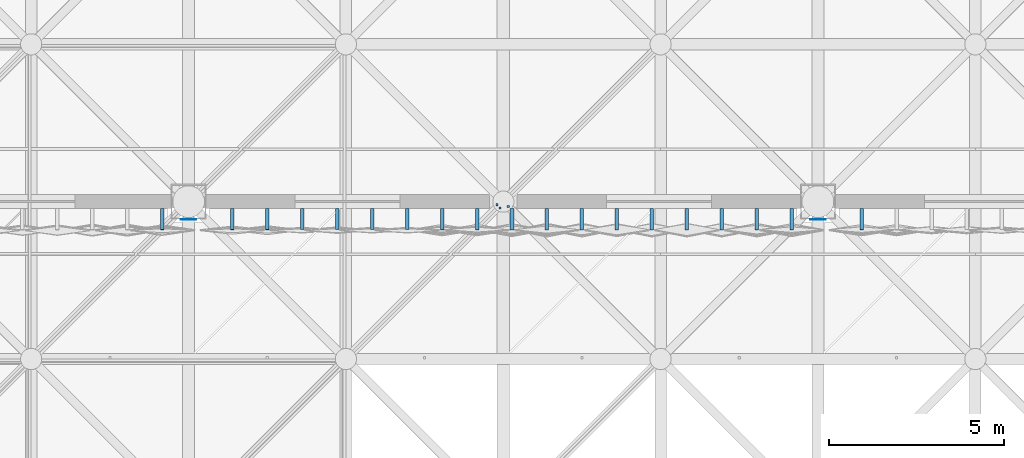
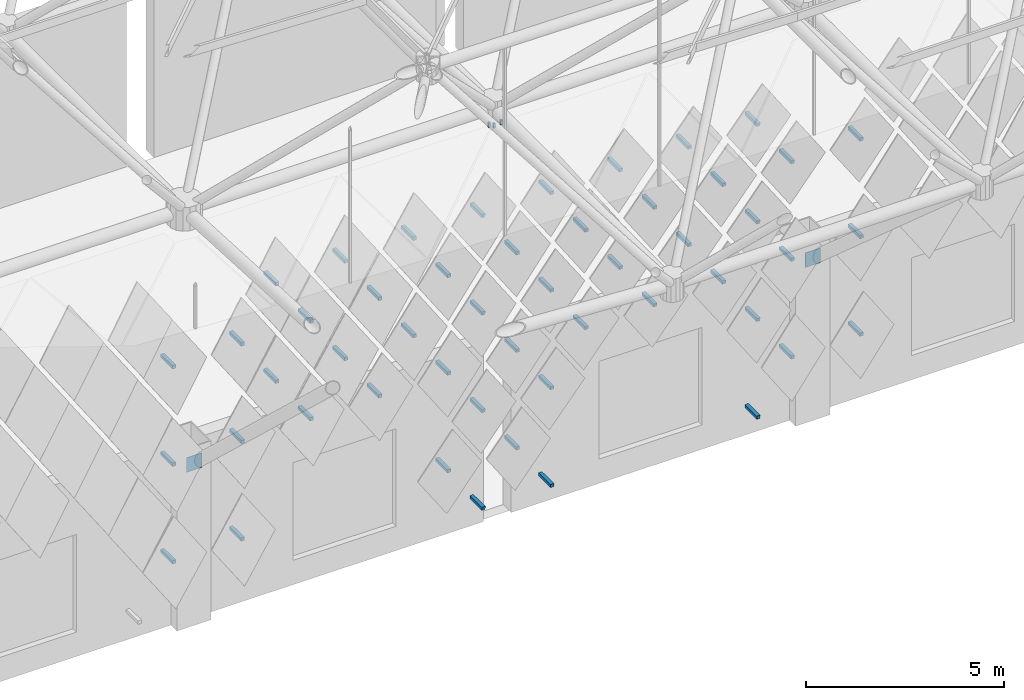
# One storey, part 364 of 437: 55 discrete accessories.
"""IFC4 building model written with IfcOpenShell, lengths in metres."""

from ifc_helpers import new_model, si_unit, direction, frame, origin, place, context, subcontext, project, spatial, polyline, outline, extrude, material, layer, layer_set, type_object, element, save


model = new_model("IFC4")

# Units and contexts
model_context = context("Model", 3, precision=1e-05, world=origin(), true_north=direction((0.0, 1.0)))
body_context = subcontext(model_context, "Body", "Model", "MODEL_VIEW")
ifc_project = project(units=[si_unit("LENGTHUNIT", "METRE"), si_unit("AREAUNIT", "SQUARE_METRE"), si_unit("VOLUMEUNIT", "CUBIC_METRE"), si_unit("PLANEANGLEUNIT", "RADIAN"), si_unit("MASSUNIT", "GRAM", prefix="KILO")], contexts=[model_context])

# Site, building, storey
site_placement = place(None, origin())
site = spatial("IfcSite", under=ifc_project, at=site_placement, CompositionType="ELEMENT")
building_placement = place(site_placement, origin())
building = spatial("IfcBuilding", under=site, at=building_placement, Name="Opaline Strait Convention Centre", CompositionType="ELEMENT")
storey_placement = place(building_placement, frame((0.0, 0.0, 11.5)))
storey = spatial("IfcBuildingStorey", under=building, at=storey_placement, Name="L02", CompositionType="ELEMENT", Elevation=11.5)

# Discrete accessories
ifc_material_1 = material(Name="Structural steel Q355B", Category="steel")
ifc_layer = layer(ifc_material_1, 0.01611328125)
ifc_layer_set = layer_set([ifc_layer], Name="Structural steel Q355B")
discrete_accessory_type_1 = type_object("IfcDiscreteAccessoryType", Name="Prop bearing plate 450 x 450 x 16", PredefinedType="ANCHORPLATE", material=ifc_layer_set)
discrete_accessory_1_placement = place(storey_placement, frame((0.0, 0.0, 4.7900390625)))
element("IfcDiscreteAccessory", 1, at=discrete_accessory_1_placement, inside=storey, type_object=discrete_accessory_type_1, Name="Prop bearing plate 135/54 S", PredefinedType="ANCHORPLATE", context=body_context, shape_type="SweptSolid", body=[
    extrude(outline(polyline([(134.77490234375, 53.48388671875), (135.22509765625, 53.48388671875), (135.22509765625, 53.5), (134.77490234375, 53.5), (134.77490234375, 53.48388671875)])), origin(), (0.0, 0.0, 1.0), 0.449951171875),
])
discrete_accessory_2_placement = place(storey_placement, frame((0.0, 0.0, 4.7890625)))
element("IfcDiscreteAccessory", 2, at=discrete_accessory_2_placement, inside=storey, type_object=discrete_accessory_type_1, Name="Prop bearing plate 153/54 S", PredefinedType="ANCHORPLATE", context=body_context, shape_type="SweptSolid", body=[
    extrude(outline(polyline([(152.77490234375, 53.48388671875), (153.22509765625, 53.48388671875), (153.22509765625, 53.5), (152.77490234375, 53.5), (152.77490234375, 53.48388671875)])), origin(), (0.0, 0.0, 1.0), 0.449951171875),
])
ifc_material_2 = material(Name="Steel Q355B", Category="steel")
discrete_accessory_type_2 = type_object("IfcDiscreteAccessoryType", Name="Soffit hanger 60x60 steel", PredefinedType="BRACKET", material=ifc_material_2)
discrete_accessory_3_placement = place(storey_placement, frame((0.0, 0.0, 11.9931640625)))
element("IfcDiscreteAccessory", 3, at=discrete_accessory_3_placement, inside=storey, type_object=discrete_accessory_type_2, Name="Soffit hanger", PredefinedType="BRACKET", context=body_context, shape_type="SweptSolid", body=[
    extrude(outline(polyline([(143.880859375, 53.791015625), (143.940673828125, 53.791015625), (143.940673828125, 53.85107421875), (143.880859375, 53.85107421875), (143.880859375, 53.791015625)])), origin(), (0.0, 0.0, 1.0), 0.146728515625),
])
discrete_accessory_4_placement = place(storey_placement, frame((0.0, 0.0, 11.9931640625)))
element("IfcDiscreteAccessory", 4, at=discrete_accessory_4_placement, inside=storey, type_object=discrete_accessory_type_2, Name="Soffit hanger", PredefinedType="BRACKET", context=body_context, shape_type="SweptSolid", body=[
    extrude(outline(polyline([(143.791015625, 53.880859375), (143.85107421875, 53.880859375), (143.85107421875, 53.940673828125), (143.791015625, 53.940673828125), (143.791015625, 53.880859375)])), origin(), (0.0, 0.0, 1.0), 0.146728515625),
])
discrete_accessory_5_placement = place(storey_placement, frame((0.0, 0.0, 11.990234375)))
element("IfcDiscreteAccessory", 5, at=discrete_accessory_5_placement, inside=storey, type_object=discrete_accessory_type_2, Name="Soffit hanger", PredefinedType="BRACKET", context=body_context, shape_type="SweptSolid", body=[
    extrude(outline(polyline([(144.111328125, 53.82861328125), (144.17138671875, 53.82861328125), (144.17138671875, 53.888671875), (144.111328125, 53.888671875), (144.111328125, 53.82861328125)])), origin(), (0.0, 0.0, 1.0), 0.149658203125),
])
discrete_accessory_type_3 = type_object("IfcDiscreteAccessoryType", Name="Tile bracket 100x100 steel", PredefinedType="BRACKET", material=ifc_material_2)
discrete_accessory_6_placement = place(storey_placement, frame((143.199951171875, 53.800048828125, 0.89208984375), z_axis=(1.0, 0.0, 0.0), x_axis=(0.0, 1.0, 0.0)))
element("IfcDiscreteAccessory", 6, at=discrete_accessory_6_placement, inside=storey, type_object=discrete_accessory_type_3, Name="Tile bracket XT14 S", PredefinedType="BRACKET", context=body_context, shape_type="SweptSolid", body=[
    extrude(outline(polyline([(0.0, -0.050048828125), (0.0, 0.050048828125), (-0.606201171875, 0.050048828125), (-0.59375, -0.050048828125), (0.0, -0.050048828125)])), origin(), (0.0, 0.0, 1.0), 0.10009765625),
])
discrete_accessory_7_placement = place(storey_placement, frame((145.199951171875, 53.800048828125, 0.89208984375), z_axis=(1.0, 0.0, 0.0), x_axis=(0.0, 1.0, 0.0)))
element("IfcDiscreteAccessory", 7, at=discrete_accessory_7_placement, inside=storey, type_object=discrete_accessory_type_3, Name="Tile bracket XT15 S", PredefinedType="BRACKET", context=body_context, shape_type="SweptSolid", body=[
    extrude(outline(polyline([(0.0, -0.050048828125), (0.0, 0.050048828125), (-0.606689453125, 0.050048828125), (-0.593505859375, -0.050048828125), (0.0, -0.050048828125)])), origin(), (0.0, 0.0, 1.0), 0.10009765625),
])
discrete_accessory_8_placement = place(storey_placement, frame((151.199951171875, 53.800048828125, 0.89208984375), z_axis=(1.0, 0.0, 0.0), x_axis=(0.0, 1.0, 0.0)))
element("IfcDiscreteAccessory", 8, at=discrete_accessory_8_placement, inside=storey, type_object=discrete_accessory_type_3, Name="Tile bracket XT05 S", PredefinedType="BRACKET", context=body_context, shape_type="SweptSolid", body=[
    extrude(outline(polyline([(0.0, -0.050048828125), (0.0, 0.050048828125), (-0.602294921875, 0.050048828125), (-0.597900390625, -0.050048828125), (0.0, -0.050048828125)])), origin(), (0.0, 0.0, 1.0), 0.10009765625),
])
for number, where, z_axis, x_axis, name in (
    (9, (134.199951171875, 53.800048828125, 2.39208984375), (1.0, 0.0, 0.0), (0.0, 1.0, 0.0), "Tile bracket XT05 S"),
    (10, (136.199951171875, 53.800048828125, 2.39208984375), (1.0, 0.0, 0.0), (0.0, 1.0, 0.0), "Tile bracket XT05 S"),
):
    element("IfcDiscreteAccessory", number, at=place(storey_placement, frame(where, z_axis=z_axis, x_axis=x_axis)), inside=storey, type_object=discrete_accessory_type_3, Name=name, PredefinedType="BRACKET", context=body_context, shape_type="SweptSolid", body=[
        extrude(outline(polyline([(0.0, -0.050048828125), (0.0, 0.050048828125), (-0.597900390625, 0.050048828125), (-0.602294921875, -0.050048828125), (0.0, -0.050048828125)])), origin(), (0.0, 0.0, 1.0), 0.10009765625),
    ])
discrete_accessory_9_placement = place(storey_placement, frame((142.199951171875, 53.800048828125, 2.39208984375), z_axis=(1.0, 0.0, 0.0), x_axis=(0.0, 1.0, 0.0)))
element("IfcDiscreteAccessory", 11, at=discrete_accessory_9_placement, inside=storey, type_object=discrete_accessory_type_3, Name="Tile bracket XT12 S", PredefinedType="BRACKET", context=body_context, shape_type="SweptSolid", body=[
    extrude(outline(polyline([(0.0, -0.050048828125), (0.0, 0.050048828125), (-0.605224609375, 0.050048828125), (-0.5947265625, -0.050048828125), (0.0, -0.050048828125)])), origin(), (0.0, 0.0, 1.0), 0.10009765625),
])
discrete_accessory_10_placement = place(storey_placement, frame((144.199951171875, 53.800048828125, 2.39208984375), z_axis=(1.0, 0.0, 0.0), x_axis=(0.0, 1.0, 0.0)))
element("IfcDiscreteAccessory", 12, at=discrete_accessory_10_placement, inside=storey, type_object=discrete_accessory_type_3, Name="Tile bracket XT14 S", PredefinedType="BRACKET", context=body_context, shape_type="SweptSolid", body=[
    extrude(outline(polyline([(0.0, -0.050048828125), (0.0, 0.050048828125), (-0.606201171875, 0.050048828125), (-0.59375, -0.050048828125), (0.0, -0.050048828125)])), origin(), (0.0, 0.0, 1.0), 0.10009765625),
])
for number, where, z_axis, x_axis, name in (
    (13, (152.199951171875, 53.800048828125, 2.39208984375), (1.0, 0.0, 0.0), (0.0, 1.0, 0.0), "Tile bracket XT06 S"),
    (14, (154.199951171875, 53.800048828125, 2.39208984375), (1.0, 0.0, 0.0), (0.0, 1.0, 0.0), "Tile bracket XT06 S"),
):
    element("IfcDiscreteAccessory", number, at=place(storey_placement, frame(where, z_axis=z_axis, x_axis=x_axis)), inside=storey, type_object=discrete_accessory_type_3, Name=name, PredefinedType="BRACKET", context=body_context, shape_type="SweptSolid", body=[
        extrude(outline(polyline([(0.0, -0.050048828125), (0.0, 0.050048828125), (-0.6025390625, 0.050048828125), (-0.597412109375, -0.050048828125), (0.0, -0.050048828125)])), origin(), (0.0, 0.0, 1.0), 0.10009765625),
    ])
discrete_accessory_11_placement = place(storey_placement, frame((143.199951171875, 53.800048828125, 3.89208984375), z_axis=(1.0, 0.0, 0.0), x_axis=(0.0, 1.0, 0.0)))
element("IfcDiscreteAccessory", 15, at=discrete_accessory_11_placement, inside=storey, type_object=discrete_accessory_type_3, Name="Tile bracket XT12 S", PredefinedType="BRACKET", context=body_context, shape_type="SweptSolid", body=[
    extrude(outline(polyline([(0.0, -0.050048828125), (0.0, 0.050048828125), (-0.605224609375, 0.050048828125), (-0.5947265625, -0.050048828125), (0.0, -0.050048828125)])), origin(), (0.0, 0.0, 1.0), 0.10009765625),
])
discrete_accessory_12_placement = place(storey_placement, frame((145.199951171875, 53.800048828125, 3.89208984375), z_axis=(1.0, 0.0, 0.0), x_axis=(0.0, 1.0, 0.0)))
element("IfcDiscreteAccessory", 16, at=discrete_accessory_12_placement, inside=storey, type_object=discrete_accessory_type_3, Name="Tile bracket XT15 S", PredefinedType="BRACKET", context=body_context, shape_type="SweptSolid", body=[
    extrude(outline(polyline([(0.0, -0.050048828125), (0.0, 0.050048828125), (-0.606689453125, 0.050048828125), (-0.593505859375, -0.050048828125), (0.0, -0.050048828125)])), origin(), (0.0, 0.0, 1.0), 0.10009765625),
])
discrete_accessory_13_placement = place(storey_placement, frame((151.199951171875, 53.800048828125, 3.89208984375), z_axis=(1.0, 0.0, 0.0), x_axis=(0.0, 1.0, 0.0)))
element("IfcDiscreteAccessory", 17, at=discrete_accessory_13_placement, inside=storey, type_object=discrete_accessory_type_3, Name="Tile bracket XT10 S", PredefinedType="BRACKET", context=body_context, shape_type="SweptSolid", body=[
    extrude(outline(polyline([(0.0, -0.050048828125), (0.0, 0.050048828125), (-0.604248046875, 0.050048828125), (-0.595703125, -0.050048828125), (0.0, -0.050048828125)])), origin(), (0.0, 0.0, 1.0), 0.10009765625),
])
discrete_accessory_14_placement = place(storey_placement, frame((134.199951171875, 53.800048828125, 5.39208984375), z_axis=(1.0, 0.0, 0.0), x_axis=(0.0, 1.0, 0.0)))
element("IfcDiscreteAccessory", 18, at=discrete_accessory_14_placement, inside=storey, type_object=discrete_accessory_type_3, Name="Tile bracket XT09 S", PredefinedType="BRACKET", context=body_context, shape_type="SweptSolid", body=[
    extrude(outline(polyline([(0.0, -0.050048828125), (0.0, 0.050048828125), (-0.595947265625, 0.050048828125), (-0.60400390625, -0.050048828125), (0.0, -0.050048828125)])), origin(), (0.0, 0.0, 1.0), 0.10009765625),
])
for number, where, z_axis, x_axis, name in (
    (19, (136.199951171875, 53.800048828125, 5.39208984375), (1.0, 0.0, 0.0), (0.0, 1.0, 0.0), "Tile bracket XT05 S"),
    (20, (138.199951171875, 53.800048828125, 5.39208984375), (1.0, 0.0, 0.0), (0.0, 1.0, 0.0), "Tile bracket XT05 S"),
):
    element("IfcDiscreteAccessory", number, at=place(storey_placement, frame(where, z_axis=z_axis, x_axis=x_axis)), inside=storey, type_object=discrete_accessory_type_3, Name=name, PredefinedType="BRACKET", context=body_context, shape_type="SweptSolid", body=[
        extrude(outline(polyline([(0.0, -0.050048828125), (0.0, 0.050048828125), (-0.597900390625, 0.050048828125), (-0.602294921875, -0.050048828125), (0.0, -0.050048828125)])), origin(), (0.0, 0.0, 1.0), 0.10009765625),
    ])
discrete_accessory_15_placement = place(storey_placement, frame((140.199951171875, 53.800048828125, 5.39208984375), z_axis=(1.0, 0.0, 0.0), x_axis=(0.0, 1.0, 0.0)))
element("IfcDiscreteAccessory", 21, at=discrete_accessory_15_placement, inside=storey, type_object=discrete_accessory_type_3, Name="Tile bracket XT05 S", PredefinedType="BRACKET", context=body_context, shape_type="SweptSolid", body=[
    extrude(outline(polyline([(0.0, -0.050048828125), (0.0, 0.050048828125), (-0.602294921875, 0.050048828125), (-0.597900390625, -0.050048828125), (0.0, -0.050048828125)])), origin(), (0.0, 0.0, 1.0), 0.10009765625),
])
discrete_accessory_16_placement = place(storey_placement, frame((142.199951171875, 53.800048828125, 5.39208984375), z_axis=(1.0, 0.0, 0.0), x_axis=(0.0, 1.0, 0.0)))
element("IfcDiscreteAccessory", 22, at=discrete_accessory_16_placement, inside=storey, type_object=discrete_accessory_type_3, Name="Tile bracket XT08 S", PredefinedType="BRACKET", context=body_context, shape_type="SweptSolid", body=[
    extrude(outline(polyline([(0.0, -0.050048828125), (0.0, 0.050048828125), (-0.603515625, 0.050048828125), (-0.596435546875, -0.050048828125), (0.0, -0.050048828125)])), origin(), (0.0, 0.0, 1.0), 0.10009765625),
])
discrete_accessory_17_placement = place(storey_placement, frame((144.199951171875, 53.800048828125, 5.39208984375), z_axis=(1.0, 0.0, 0.0), x_axis=(0.0, 1.0, 0.0)))
element("IfcDiscreteAccessory", 23, at=discrete_accessory_17_placement, inside=storey, type_object=discrete_accessory_type_3, Name="Tile bracket XT12 S", PredefinedType="BRACKET", context=body_context, shape_type="SweptSolid", body=[
    extrude(outline(polyline([(0.0, -0.050048828125), (0.0, 0.050048828125), (-0.605224609375, 0.050048828125), (-0.5947265625, -0.050048828125), (0.0, -0.050048828125)])), origin(), (0.0, 0.0, 1.0), 0.10009765625),
])
for number, where, z_axis, x_axis, name in (
    (24, (146.199951171875, 53.800048828125, 5.39208984375), (1.0, 0.0, 0.0), (0.0, 1.0, 0.0), "Tile bracket XT15 S"),
    (25, (148.199951171875, 53.800048828125, 5.39208984375), (1.0, 0.0, 0.0), (0.0, 1.0, 0.0), "Tile bracket XT15 S"),
):
    element("IfcDiscreteAccessory", number, at=place(storey_placement, frame(where, z_axis=z_axis, x_axis=x_axis)), inside=storey, type_object=discrete_accessory_type_3, Name=name, PredefinedType="BRACKET", context=body_context, shape_type="SweptSolid", body=[
        extrude(outline(polyline([(0.0, -0.050048828125), (0.0, 0.050048828125), (-0.606689453125, 0.050048828125), (-0.593505859375, -0.050048828125), (0.0, -0.050048828125)])), origin(), (0.0, 0.0, 1.0), 0.10009765625),
    ])
discrete_accessory_18_placement = place(storey_placement, frame((150.199951171875, 53.800048828125, 5.39208984375), z_axis=(1.0, 0.0, 0.0), x_axis=(0.0, 1.0, 0.0)))
element("IfcDiscreteAccessory", 26, at=discrete_accessory_18_placement, inside=storey, type_object=discrete_accessory_type_3, Name="Tile bracket XT14 S", PredefinedType="BRACKET", context=body_context, shape_type="SweptSolid", body=[
    extrude(outline(polyline([(0.0, -0.050048828125), (0.0, 0.050048828125), (-0.606201171875, 0.050048828125), (-0.59375, -0.050048828125), (0.0, -0.050048828125)])), origin(), (0.0, 0.0, 1.0), 0.10009765625),
])
discrete_accessory_19_placement = place(storey_placement, frame((152.199951171875, 53.800048828125, 5.39208984375), z_axis=(1.0, 0.0, 0.0), x_axis=(0.0, 1.0, 0.0)))
element("IfcDiscreteAccessory", 27, at=discrete_accessory_19_placement, inside=storey, type_object=discrete_accessory_type_3, Name="Tile bracket XT10 S", PredefinedType="BRACKET", context=body_context, shape_type="SweptSolid", body=[
    extrude(outline(polyline([(0.0, -0.050048828125), (0.0, 0.050048828125), (-0.604248046875, 0.050048828125), (-0.595703125, -0.050048828125), (0.0, -0.050048828125)])), origin(), (0.0, 0.0, 1.0), 0.10009765625),
])
discrete_accessory_20_placement = place(storey_placement, frame((154.199951171875, 53.800048828125, 5.39208984375), z_axis=(1.0, 0.0, 0.0), x_axis=(0.0, 1.0, 0.0)))
element("IfcDiscreteAccessory", 28, at=discrete_accessory_20_placement, inside=storey, type_object=discrete_accessory_type_3, Name="Tile bracket XT07 S", PredefinedType="BRACKET", context=body_context, shape_type="SweptSolid", body=[
    extrude(outline(polyline([(0.0, -0.050048828125), (0.0, 0.050048828125), (-0.60302734375, 0.050048828125), (-0.596923828125, -0.050048828125), (0.0, -0.050048828125)])), origin(), (0.0, 0.0, 1.0), 0.10009765625),
])
discrete_accessory_21_placement = place(storey_placement, frame((137.199951171875, 53.800048828125, 6.89208984375), z_axis=(1.0, 0.0, 0.0), x_axis=(0.0, 1.0, 0.0)))
element("IfcDiscreteAccessory", 29, at=discrete_accessory_21_placement, inside=storey, type_object=discrete_accessory_type_3, Name="Tile bracket XT06 S", PredefinedType="BRACKET", context=body_context, shape_type="SweptSolid", body=[
    extrude(outline(polyline([(0.0, -0.050048828125), (0.0, 0.050048828125), (-0.597412109375, 0.050048828125), (-0.6025390625, -0.050048828125), (0.0, -0.050048828125)])), origin(), (0.0, 0.0, 1.0), 0.10009765625),
])
discrete_accessory_22_placement = place(storey_placement, frame((139.199951171875, 53.800048828125, 6.89208984375), z_axis=(1.0, 0.0, 0.0), x_axis=(0.0, 1.0, 0.0)))
element("IfcDiscreteAccessory", 30, at=discrete_accessory_22_placement, inside=storey, type_object=discrete_accessory_type_3, Name="Tile bracket XT05 S", PredefinedType="BRACKET", context=body_context, shape_type="SweptSolid", body=[
    extrude(outline(polyline([(0.0, -0.050048828125), (0.0, 0.050048828125), (-0.597900390625, 0.050048828125), (-0.602294921875, -0.050048828125), (0.0, -0.050048828125)])), origin(), (0.0, 0.0, 1.0), 0.10009765625),
])
discrete_accessory_23_placement = place(storey_placement, frame((141.199951171875, 53.800048828125, 6.89208984375), z_axis=(1.0, 0.0, 0.0), x_axis=(0.0, 1.0, 0.0)))
element("IfcDiscreteAccessory", 31, at=discrete_accessory_23_placement, inside=storey, type_object=discrete_accessory_type_3, Name="Tile bracket XT05 S", PredefinedType="BRACKET", context=body_context, shape_type="SweptSolid", body=[
    extrude(outline(polyline([(0.0, -0.050048828125), (0.0, 0.050048828125), (-0.602294921875, 0.050048828125), (-0.597900390625, -0.050048828125), (0.0, -0.050048828125)])), origin(), (0.0, 0.0, 1.0), 0.10009765625),
])
discrete_accessory_24_placement = place(storey_placement, frame((143.199951171875, 53.800048828125, 6.89208984375), z_axis=(1.0, 0.0, 0.0), x_axis=(0.0, 1.0, 0.0)))
element("IfcDiscreteAccessory", 32, at=discrete_accessory_24_placement, inside=storey, type_object=discrete_accessory_type_3, Name="Tile bracket XT08 S", PredefinedType="BRACKET", context=body_context, shape_type="SweptSolid", body=[
    extrude(outline(polyline([(0.0, -0.050048828125), (0.0, 0.050048828125), (-0.603515625, 0.050048828125), (-0.596435546875, -0.050048828125), (0.0, -0.050048828125)])), origin(), (0.0, 0.0, 1.0), 0.10009765625),
])
discrete_accessory_25_placement = place(storey_placement, frame((145.199951171875, 53.800048828125, 6.89208984375), z_axis=(1.0, 0.0, 0.0), x_axis=(0.0, 1.0, 0.0)))
element("IfcDiscreteAccessory", 33, at=discrete_accessory_25_placement, inside=storey, type_object=discrete_accessory_type_3, Name="Tile bracket XT12 S", PredefinedType="BRACKET", context=body_context, shape_type="SweptSolid", body=[
    extrude(outline(polyline([(0.0, -0.050048828125), (0.0, 0.050048828125), (-0.605224609375, 0.050048828125), (-0.5947265625, -0.050048828125), (0.0, -0.050048828125)])), origin(), (0.0, 0.0, 1.0), 0.10009765625),
])
discrete_accessory_26_placement = place(storey_placement, frame((147.199951171875, 53.800048828125, 6.89208984375), z_axis=(1.0, 0.0, 0.0), x_axis=(0.0, 1.0, 0.0)))
element("IfcDiscreteAccessory", 34, at=discrete_accessory_26_placement, inside=storey, type_object=discrete_accessory_type_3, Name="Tile bracket XT14 S", PredefinedType="BRACKET", context=body_context, shape_type="SweptSolid", body=[
    extrude(outline(polyline([(0.0, -0.050048828125), (0.0, 0.050048828125), (-0.606201171875, 0.050048828125), (-0.59375, -0.050048828125), (0.0, -0.050048828125)])), origin(), (0.0, 0.0, 1.0), 0.10009765625),
])
discrete_accessory_27_placement = place(storey_placement, frame((149.199951171875, 53.800048828125, 6.89208984375), z_axis=(1.0, 0.0, 0.0), x_axis=(0.0, 1.0, 0.0)))
element("IfcDiscreteAccessory", 35, at=discrete_accessory_27_placement, inside=storey, type_object=discrete_accessory_type_3, Name="Tile bracket XT15 S", PredefinedType="BRACKET", context=body_context, shape_type="SweptSolid", body=[
    extrude(outline(polyline([(0.0, -0.050048828125), (0.0, 0.050048828125), (-0.606689453125, 0.050048828125), (-0.593505859375, -0.050048828125), (0.0, -0.050048828125)])), origin(), (0.0, 0.0, 1.0), 0.10009765625),
])
discrete_accessory_28_placement = place(storey_placement, frame((151.199951171875, 53.800048828125, 6.89208984375), z_axis=(1.0, 0.0, 0.0), x_axis=(0.0, 1.0, 0.0)))
element("IfcDiscreteAccessory", 36, at=discrete_accessory_28_placement, inside=storey, type_object=discrete_accessory_type_3, Name="Tile bracket XT14 S", PredefinedType="BRACKET", context=body_context, shape_type="SweptSolid", body=[
    extrude(outline(polyline([(0.0, -0.050048828125), (0.0, 0.050048828125), (-0.606201171875, 0.050048828125), (-0.59375, -0.050048828125), (0.0, -0.050048828125)])), origin(), (0.0, 0.0, 1.0), 0.10009765625),
])
discrete_accessory_29_placement = place(storey_placement, frame((134.199951171875, 53.800048828125, 8.39208984375), z_axis=(1.0, 0.0, 0.0), x_axis=(0.0, 1.0, 0.0)))
element("IfcDiscreteAccessory", 37, at=discrete_accessory_29_placement, inside=storey, type_object=discrete_accessory_type_3, Name="Tile bracket XT12 S", PredefinedType="BRACKET", context=body_context, shape_type="SweptSolid", body=[
    extrude(outline(polyline([(0.0, -0.050048828125), (0.0, 0.050048828125), (-0.5947265625, 0.050048828125), (-0.605224609375, -0.050048828125), (0.0, -0.050048828125)])), origin(), (0.0, 0.0, 1.0), 0.10009765625),
])
discrete_accessory_30_placement = place(storey_placement, frame((136.199951171875, 53.800048828125, 8.39208984375), z_axis=(1.0, 0.0, 0.0), x_axis=(0.0, 1.0, 0.0)))
element("IfcDiscreteAccessory", 38, at=discrete_accessory_30_placement, inside=storey, type_object=discrete_accessory_type_3, Name="Tile bracket XT09 S", PredefinedType="BRACKET", context=body_context, shape_type="SweptSolid", body=[
    extrude(outline(polyline([(0.0, -0.050048828125), (0.0, 0.050048828125), (-0.595947265625, 0.050048828125), (-0.60400390625, -0.050048828125), (0.0, -0.050048828125)])), origin(), (0.0, 0.0, 1.0), 0.10009765625),
])
discrete_accessory_31_placement = place(storey_placement, frame((138.199951171875, 53.800048828125, 8.39208984375), z_axis=(1.0, 0.0, 0.0), x_axis=(0.0, 1.0, 0.0)))
element("IfcDiscreteAccessory", 39, at=discrete_accessory_31_placement, inside=storey, type_object=discrete_accessory_type_3, Name="Tile bracket XT06 S", PredefinedType="BRACKET", context=body_context, shape_type="SweptSolid", body=[
    extrude(outline(polyline([(0.0, -0.050048828125), (0.0, 0.050048828125), (-0.597412109375, 0.050048828125), (-0.6025390625, -0.050048828125), (0.0, -0.050048828125)])), origin(), (0.0, 0.0, 1.0), 0.10009765625),
])
discrete_accessory_32_placement = place(storey_placement, frame((140.199951171875, 53.800048828125, 8.39208984375), z_axis=(1.0, 0.0, 0.0), x_axis=(0.0, 1.0, 0.0)))
element("IfcDiscreteAccessory", 40, at=discrete_accessory_32_placement, inside=storey, type_object=discrete_accessory_type_3, Name="Tile bracket XT05 S", PredefinedType="BRACKET", context=body_context, shape_type="SweptSolid", body=[
    extrude(outline(polyline([(0.0, -0.050048828125), (0.0, 0.050048828125), (-0.597900390625, 0.050048828125), (-0.602294921875, -0.050048828125), (0.0, -0.050048828125)])), origin(), (0.0, 0.0, 1.0), 0.10009765625),
])
discrete_accessory_33_placement = place(storey_placement, frame((142.199951171875, 53.800048828125, 8.39208984375), z_axis=(1.0, 0.0, 0.0), x_axis=(0.0, 1.0, 0.0)))
element("IfcDiscreteAccessory", 41, at=discrete_accessory_33_placement, inside=storey, type_object=discrete_accessory_type_3, Name="Tile bracket XT05 S", PredefinedType="BRACKET", context=body_context, shape_type="SweptSolid", body=[
    extrude(outline(polyline([(0.0, -0.050048828125), (0.0, 0.050048828125), (-0.602294921875, 0.050048828125), (-0.597900390625, -0.050048828125), (0.0, -0.050048828125)])), origin(), (0.0, 0.0, 1.0), 0.10009765625),
])
discrete_accessory_34_placement = place(storey_placement, frame((144.199951171875, 53.800048828125, 8.39208984375), z_axis=(1.0, 0.0, 0.0), x_axis=(0.0, 1.0, 0.0)))
element("IfcDiscreteAccessory", 42, at=discrete_accessory_34_placement, inside=storey, type_object=discrete_accessory_type_3, Name="Tile bracket XT08 S", PredefinedType="BRACKET", context=body_context, shape_type="SweptSolid", body=[
    extrude(outline(polyline([(0.0, -0.050048828125), (0.0, 0.050048828125), (-0.603515625, 0.050048828125), (-0.596435546875, -0.050048828125), (0.0, -0.050048828125)])), origin(), (0.0, 0.0, 1.0), 0.10009765625),
])
discrete_accessory_35_placement = place(storey_placement, frame((146.199951171875, 53.800048828125, 8.39208984375), z_axis=(1.0, 0.0, 0.0), x_axis=(0.0, 1.0, 0.0)))
element("IfcDiscreteAccessory", 43, at=discrete_accessory_35_placement, inside=storey, type_object=discrete_accessory_type_3, Name="Tile bracket XT12 S", PredefinedType="BRACKET", context=body_context, shape_type="SweptSolid", body=[
    extrude(outline(polyline([(0.0, -0.050048828125), (0.0, 0.050048828125), (-0.605224609375, 0.050048828125), (-0.5947265625, -0.050048828125), (0.0, -0.050048828125)])), origin(), (0.0, 0.0, 1.0), 0.10009765625),
])
discrete_accessory_36_placement = place(storey_placement, frame((148.199951171875, 53.800048828125, 8.39208984375), z_axis=(1.0, 0.0, 0.0), x_axis=(0.0, 1.0, 0.0)))
element("IfcDiscreteAccessory", 44, at=discrete_accessory_36_placement, inside=storey, type_object=discrete_accessory_type_3, Name="Tile bracket XT14 S", PredefinedType="BRACKET", context=body_context, shape_type="SweptSolid", body=[
    extrude(outline(polyline([(0.0, -0.050048828125), (0.0, 0.050048828125), (-0.606201171875, 0.050048828125), (-0.59375, -0.050048828125), (0.0, -0.050048828125)])), origin(), (0.0, 0.0, 1.0), 0.10009765625),
])
discrete_accessory_37_placement = place(storey_placement, frame((150.199951171875, 53.800048828125, 8.39208984375), z_axis=(1.0, 0.0, 0.0), x_axis=(0.0, 1.0, 0.0)))
element("IfcDiscreteAccessory", 45, at=discrete_accessory_37_placement, inside=storey, type_object=discrete_accessory_type_3, Name="Tile bracket XT15 S", PredefinedType="BRACKET", context=body_context, shape_type="SweptSolid", body=[
    extrude(outline(polyline([(0.0, -0.050048828125), (0.0, 0.050048828125), (-0.606689453125, 0.050048828125), (-0.593505859375, -0.050048828125), (0.0, -0.050048828125)])), origin(), (0.0, 0.0, 1.0), 0.10009765625),
])
discrete_accessory_38_placement = place(storey_placement, frame((152.199951171875, 53.800048828125, 8.39208984375), z_axis=(1.0, 0.0, 0.0), x_axis=(0.0, 1.0, 0.0)))
element("IfcDiscreteAccessory", 46, at=discrete_accessory_38_placement, inside=storey, type_object=discrete_accessory_type_3, Name="Tile bracket XT14 S", PredefinedType="BRACKET", context=body_context, shape_type="SweptSolid", body=[
    extrude(outline(polyline([(0.0, -0.050048828125), (0.0, 0.050048828125), (-0.606201171875, 0.050048828125), (-0.59375, -0.050048828125), (0.0, -0.050048828125)])), origin(), (0.0, 0.0, 1.0), 0.10009765625),
])
discrete_accessory_39_placement = place(storey_placement, frame((154.199951171875, 53.800048828125, 8.39208984375), z_axis=(1.0, 0.0, 0.0), x_axis=(0.0, 1.0, 0.0)))
element("IfcDiscreteAccessory", 47, at=discrete_accessory_39_placement, inside=storey, type_object=discrete_accessory_type_3, Name="Tile bracket XT12 S", PredefinedType="BRACKET", context=body_context, shape_type="SweptSolid", body=[
    extrude(outline(polyline([(0.0, -0.050048828125), (0.0, 0.050048828125), (-0.605224609375, 0.050048828125), (-0.5947265625, -0.050048828125), (0.0, -0.050048828125)])), origin(), (0.0, 0.0, 1.0), 0.10009765625),
])
discrete_accessory_40_placement = place(storey_placement, frame((137.199951171875, 53.800048828125, 9.89208984375), z_axis=(1.0, 0.0, 0.0), x_axis=(0.0, 1.0, 0.0)))
element("IfcDiscreteAccessory", 48, at=discrete_accessory_40_placement, inside=storey, type_object=discrete_accessory_type_3, Name="Tile bracket XT10 S", PredefinedType="BRACKET", context=body_context, shape_type="SweptSolid", body=[
    extrude(outline(polyline([(0.0, -0.050048828125), (0.0, 0.050048828125), (-0.595703125, 0.050048828125), (-0.604248046875, -0.050048828125), (0.0, -0.050048828125)])), origin(), (0.0, 0.0, 1.0), 0.10009765625),
])
discrete_accessory_41_placement = place(storey_placement, frame((139.199951171875, 53.800048828125, 9.89208984375), z_axis=(1.0, 0.0, 0.0), x_axis=(0.0, 1.0, 0.0)))
element("IfcDiscreteAccessory", 49, at=discrete_accessory_41_placement, inside=storey, type_object=discrete_accessory_type_3, Name="Tile bracket XT07 S", PredefinedType="BRACKET", context=body_context, shape_type="SweptSolid", body=[
    extrude(outline(polyline([(0.0, -0.050048828125), (0.0, 0.050048828125), (-0.596923828125, 0.050048828125), (-0.60302734375, -0.050048828125), (0.0, -0.050048828125)])), origin(), (0.0, 0.0, 1.0), 0.10009765625),
])
discrete_accessory_42_placement = place(storey_placement, frame((141.199951171875, 53.800048828125, 9.89208984375), z_axis=(1.0, 0.0, 0.0), x_axis=(0.0, 1.0, 0.0)))
element("IfcDiscreteAccessory", 50, at=discrete_accessory_42_placement, inside=storey, type_object=discrete_accessory_type_3, Name="Tile bracket XT05 S", PredefinedType="BRACKET", context=body_context, shape_type="SweptSolid", body=[
    extrude(outline(polyline([(0.0, -0.050048828125), (0.0, 0.050048828125), (-0.597900390625, 0.050048828125), (-0.602294921875, -0.050048828125), (0.0, -0.050048828125)])), origin(), (0.0, 0.0, 1.0), 0.10009765625),
])
discrete_accessory_43_placement = place(storey_placement, frame((143.199951171875, 53.800048828125, 9.89208984375), z_axis=(1.0, 0.0, 0.0), x_axis=(0.0, 1.0, 0.0)))
element("IfcDiscreteAccessory", 51, at=discrete_accessory_43_placement, inside=storey, type_object=discrete_accessory_type_3, Name="Tile bracket XT05 S", PredefinedType="BRACKET", context=body_context, shape_type="SweptSolid", body=[
    extrude(outline(polyline([(0.0, -0.050048828125), (0.0, 0.050048828125), (-0.602294921875, 0.050048828125), (-0.597900390625, -0.050048828125), (0.0, -0.050048828125)])), origin(), (0.0, 0.0, 1.0), 0.10009765625),
])
discrete_accessory_44_placement = place(storey_placement, frame((145.199951171875, 53.800048828125, 9.89208984375), z_axis=(1.0, 0.0, 0.0), x_axis=(0.0, 1.0, 0.0)))
element("IfcDiscreteAccessory", 52, at=discrete_accessory_44_placement, inside=storey, type_object=discrete_accessory_type_3, Name="Tile bracket XT08 S", PredefinedType="BRACKET", context=body_context, shape_type="SweptSolid", body=[
    extrude(outline(polyline([(0.0, -0.050048828125), (0.0, 0.050048828125), (-0.603515625, 0.050048828125), (-0.596435546875, -0.050048828125), (0.0, -0.050048828125)])), origin(), (0.0, 0.0, 1.0), 0.10009765625),
])
discrete_accessory_45_placement = place(storey_placement, frame((147.199951171875, 53.800048828125, 9.89208984375), z_axis=(1.0, 0.0, 0.0), x_axis=(0.0, 1.0, 0.0)))
element("IfcDiscreteAccessory", 53, at=discrete_accessory_45_placement, inside=storey, type_object=discrete_accessory_type_3, Name="Tile bracket XT12 S", PredefinedType="BRACKET", context=body_context, shape_type="SweptSolid", body=[
    extrude(outline(polyline([(0.0, -0.050048828125), (0.0, 0.050048828125), (-0.605224609375, 0.050048828125), (-0.5947265625, -0.050048828125), (0.0, -0.050048828125)])), origin(), (0.0, 0.0, 1.0), 0.10009765625),
])
discrete_accessory_46_placement = place(storey_placement, frame((149.199951171875, 53.800048828125, 9.89208984375), z_axis=(1.0, 0.0, 0.0), x_axis=(0.0, 1.0, 0.0)))
element("IfcDiscreteAccessory", 54, at=discrete_accessory_46_placement, inside=storey, type_object=discrete_accessory_type_3, Name="Tile bracket XT14 S", PredefinedType="BRACKET", context=body_context, shape_type="SweptSolid", body=[
    extrude(outline(polyline([(0.0, -0.050048828125), (0.0, 0.050048828125), (-0.606201171875, 0.050048828125), (-0.59375, -0.050048828125), (0.0, -0.050048828125)])), origin(), (0.0, 0.0, 1.0), 0.10009765625),
])
discrete_accessory_47_placement = place(storey_placement, frame((151.199951171875, 53.800048828125, 9.89208984375), z_axis=(1.0, 0.0, 0.0), x_axis=(0.0, 1.0, 0.0)))
element("IfcDiscreteAccessory", 55, at=discrete_accessory_47_placement, inside=storey, type_object=discrete_accessory_type_3, Name="Tile bracket XT15 S", PredefinedType="BRACKET", context=body_context, shape_type="SweptSolid", body=[
    extrude(outline(polyline([(0.0, -0.050048828125), (0.0, 0.050048828125), (-0.606689453125, 0.050048828125), (-0.593505859375, -0.050048828125), (0.0, -0.050048828125)])), origin(), (0.0, 0.0, 1.0), 0.10009765625),
])

save(model, "model.ifc")
